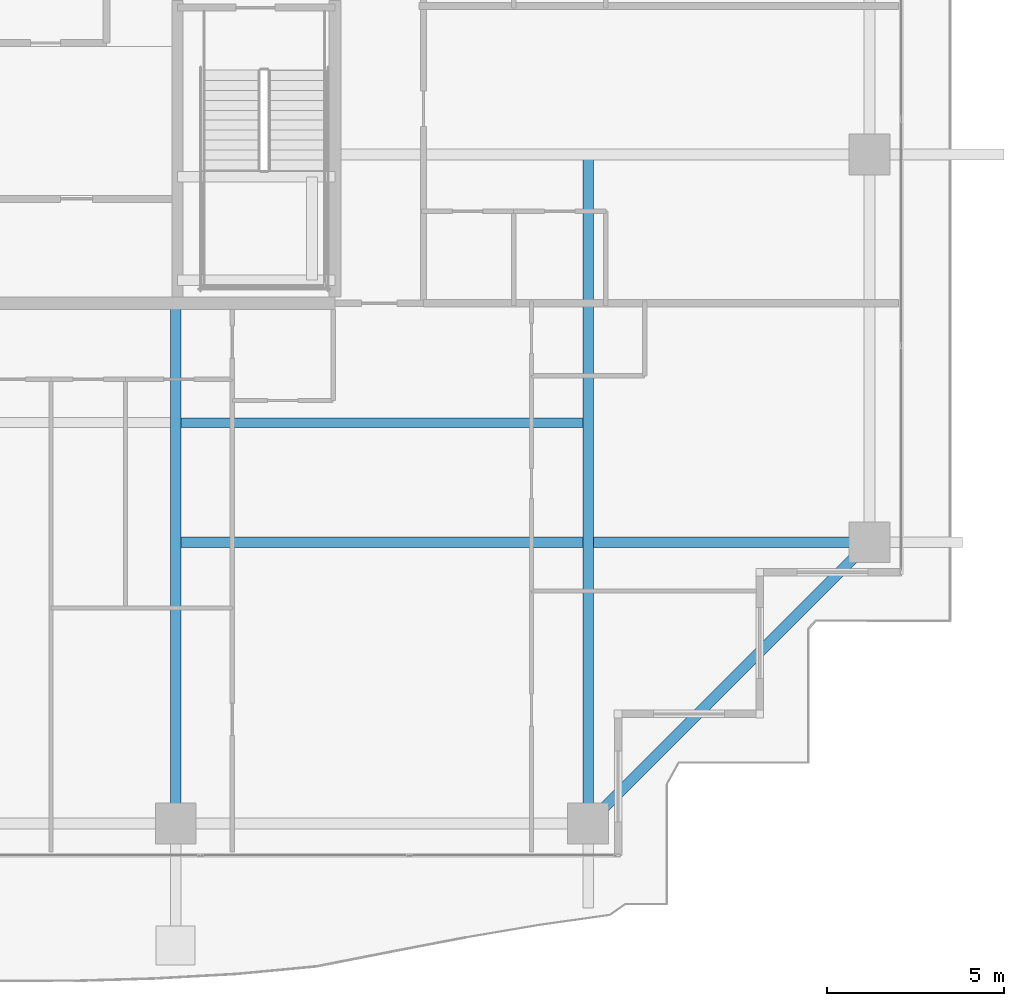
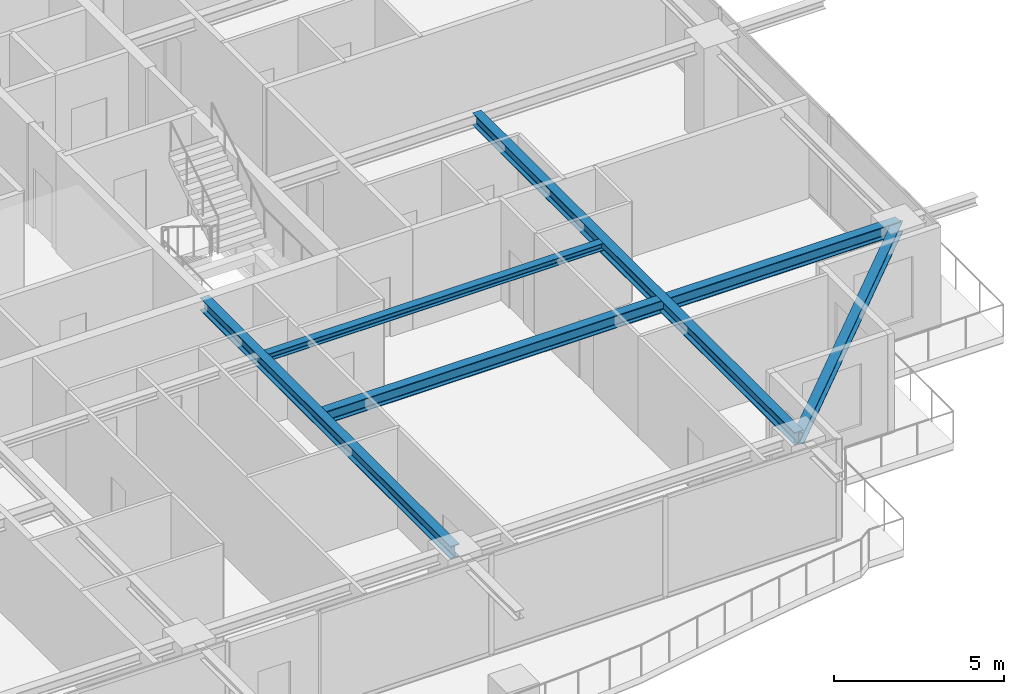
# One storey, part 12 of 38: 5 beams.
"""IFC4 building model written with IfcOpenShell, lengths in metres."""

from ifc_helpers import new_model, si_unit, direction, frame, origin, origin_2d, place, context, subcontext, project, spatial, i_section, extrude, source, transform, mapped, material, material_profile, profile_set, type_object, element, save


model = new_model("IFC4")

# Units and contexts
model_context = context("Model", 3, precision=1e-05, world=origin(), true_north=direction((0.0, 1.0)))
body_context = subcontext(model_context, "Body", "Model", "MODEL_VIEW")
ifc_project = project(units=[si_unit("LENGTHUNIT", "METRE"), si_unit("AREAUNIT", "SQUARE_METRE"), si_unit("VOLUMEUNIT", "CUBIC_METRE"), si_unit("PLANEANGLEUNIT", "RADIAN"), si_unit("MASSUNIT", "GRAM", prefix="KILO")], contexts=[model_context])

# Site, building, storey
site_placement = place(None, origin())
site = spatial("IfcSite", under=ifc_project, at=site_placement, CompositionType="ELEMENT")
building_placement = place(site_placement, origin())
building = spatial("IfcBuilding", under=site, at=building_placement, Name="Serunith Strait Residences", CompositionType="ELEMENT")
storey_placement = place(building_placement, frame((0.0, 0.0, 241.25)))
storey = spatial("IfcBuildingStorey", under=building, at=storey_placement, Name="L60", CompositionType="ELEMENT", Elevation=241.25)

# Beams
ifc_material = material(Name="Steel S355J2", Category="steel")
ifc_material_profile_1 = material_profile(ifc_material, i_section(OverallWidth=0.300048828125, OverallDepth=0.449951171875, WebThickness=0.013916015625, FlangeThickness=0.02587890625, FilletRadius=0.027099609375, at=origin_2d()), Name="HEB 450")
ifc_profile_set_1 = profile_set([ifc_material_profile_1], Name="Steel S355J2")
beam_type_1 = type_object("IfcBeamType", Name="BM-HEB450", PredefinedType="BEAM", material=ifc_profile_set_1)
shared_shape_1 = source(origin(), body_context, "Body", "SweptSolid", [
    extrude(i_section(OverallWidth=0.300048828125, OverallDepth=0.449951171875, WebThickness=0.013916015625, FlangeThickness=0.02587890625, FilletRadius=0.027099609375, at=origin_2d()), origin(), (0.0, 0.0, 1.0), 14.699951171875),
])
beam_1_placement = place(storey_placement, frame((36.89990234375, 16.800048828125, 3.362060546875), z_axis=(0.0, -1.0, 0.0), x_axis=(1.0, 0.0, 0.0)))
element("IfcBeam", 1, at=beam_1_placement, inside=storey, type_object=beam_type_1, Name="L60 Primary Floor Girder TC-S3", PredefinedType="BEAM", context=body_context, shape_type="MappedRepresentation", body=[
    mapped(shared_shape_1, transform((0.0, 0.0, 0.0), scale=1.0)),
])
shared_shape_2 = source(origin(), body_context, "Body", "SweptSolid", [
    extrude(i_section(OverallWidth=0.300048828125, OverallDepth=0.449951171875, WebThickness=0.013916015625, FlangeThickness=0.02587890625, FilletRadius=0.027099609375, at=origin_2d()), origin(), (0.0, 0.0, 1.0), 18.89990234375),
])
beam_2_placement = place(storey_placement, frame((48.550048828125, 21.0, 3.362060546875), z_axis=(0.0, -1.0, 0.0), x_axis=(1.0, 0.0, 0.0)))
element("IfcBeam", 2, at=beam_2_placement, inside=storey, type_object=beam_type_1, Name="L60 Orthogonal Corner Girder TC-S4", PredefinedType="BEAM", context=body_context, shape_type="MappedRepresentation", body=[
    mapped(shared_shape_2, transform((0.0, 0.0, 0.0), scale=1.0)),
])
shared_shape_3 = source(origin(), body_context, "Body", "SweptSolid", [
    extrude(i_section(OverallWidth=0.300048828125, OverallDepth=0.449951171875, WebThickness=0.013916015625, FlangeThickness=0.02587890625, FilletRadius=0.027099609375, at=origin_2d()), origin(), (0.0, 0.0, 1.0), 19.60009765625),
])
beam_3_placement = place(storey_placement, frame((36.89990234375, 10.050048828125, 3.362060546875), z_axis=(1.0, 0.0, 0.0), x_axis=(0.0, 1.0, 0.0)))
element("IfcBeam", 3, at=beam_3_placement, inside=storey, type_object=beam_type_1, Name="L60 Orthogonal Corner Girder TC-E1", PredefinedType="BEAM", context=body_context, shape_type="MappedRepresentation", body=[
    mapped(shared_shape_3, transform((0.0, 0.0, 0.0), scale=1.0)),
])
ifc_material_profile_2 = material_profile(ifc_material, i_section(OverallWidth=0.300048828125, OverallDepth=0.39990234375, WebThickness=0.013427734375, FlangeThickness=0.02392578125, FilletRadius=0.027099609375, at=origin_2d()), Name="HEB 400")
ifc_profile_set_2 = profile_set([ifc_material_profile_2], Name="Steel S355J2")
beam_type_2 = type_object("IfcBeamType", Name="BM-HEB400", PredefinedType="BEAM", material=ifc_profile_set_2)
shared_shape_4 = source(origin(), body_context, "Body", "SweptSolid", [
    extrude(i_section(OverallWidth=0.300048828125, OverallDepth=0.39990234375, WebThickness=0.013427734375, FlangeThickness=0.02392578125, FilletRadius=0.027099609375, at=origin_2d()), origin(), (0.0, 0.0, 1.0), 11.242919921875),
])
beam_4_placement = place(storey_placement, frame((48.550048828125, 2.10009765625, 3.35693359375), z_axis=(0.707106781187, 0.707106781187, 0.0), x_axis=(-0.707106781187, 0.707106781187, 0.0)))
element("IfcBeam", 4, at=beam_4_placement, inside=storey, type_object=beam_type_2, Name="L60 Perimeter Ring Beam 04", PredefinedType="BEAM", context=body_context, shape_type="MappedRepresentation", body=[
    mapped(shared_shape_4, transform((0.0, 0.0, 0.0), scale=1.0)),
])
ifc_material_profile_3 = material_profile(ifc_material, i_section(OverallWidth=0.260009765625, OverallDepth=0.260009765625, WebThickness=0.010009765625, FlangeThickness=0.017578125, FilletRadius=0.02392578125, at=origin_2d()), Name="HEB 260")
ifc_profile_set_3 = profile_set([ifc_material_profile_3], Name="Steel S355J2")
beam_type_3 = type_object("IfcBeamType", Name="BM-HEB260", PredefinedType="JOIST", material=ifc_profile_set_3)
shared_shape_5 = source(origin(), body_context, "Body", "SweptSolid", [
    extrude(i_section(OverallWidth=0.260009765625, OverallDepth=0.260009765625, WebThickness=0.010009765625, FlangeThickness=0.017578125, FilletRadius=0.02392578125, at=origin_2d()), origin(), (0.0, 0.0, 1.0), 11.349853515625),
])
beam_5_placement = place(storey_placement, frame((37.050048828125, 13.425048828125, 3.45703125), z_axis=(1.0, 0.0, 0.0), x_axis=(0.0, 1.0, 0.0)))
element("IfcBeam", 5, at=beam_5_placement, inside=storey, type_object=beam_type_3, Name="L60 Composite Floor Joist 03", PredefinedType="JOIST", context=body_context, shape_type="MappedRepresentation", body=[
    mapped(shared_shape_5, transform((0.0, 0.0, 0.0), scale=1.0)),
])

save(model, "model.ifc")
